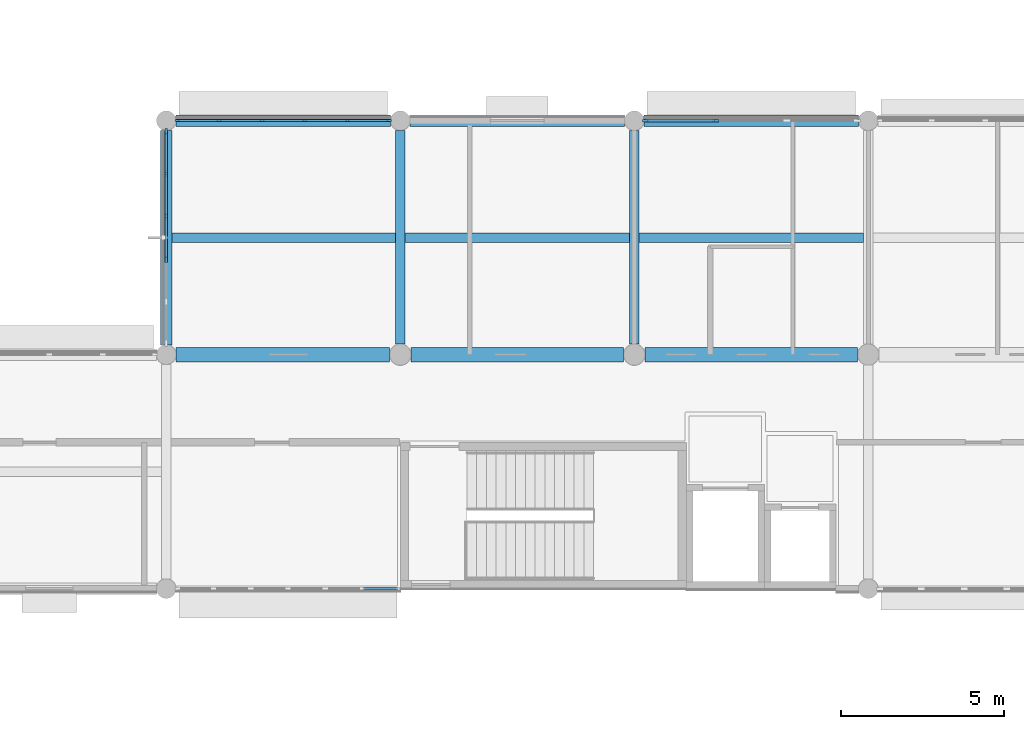
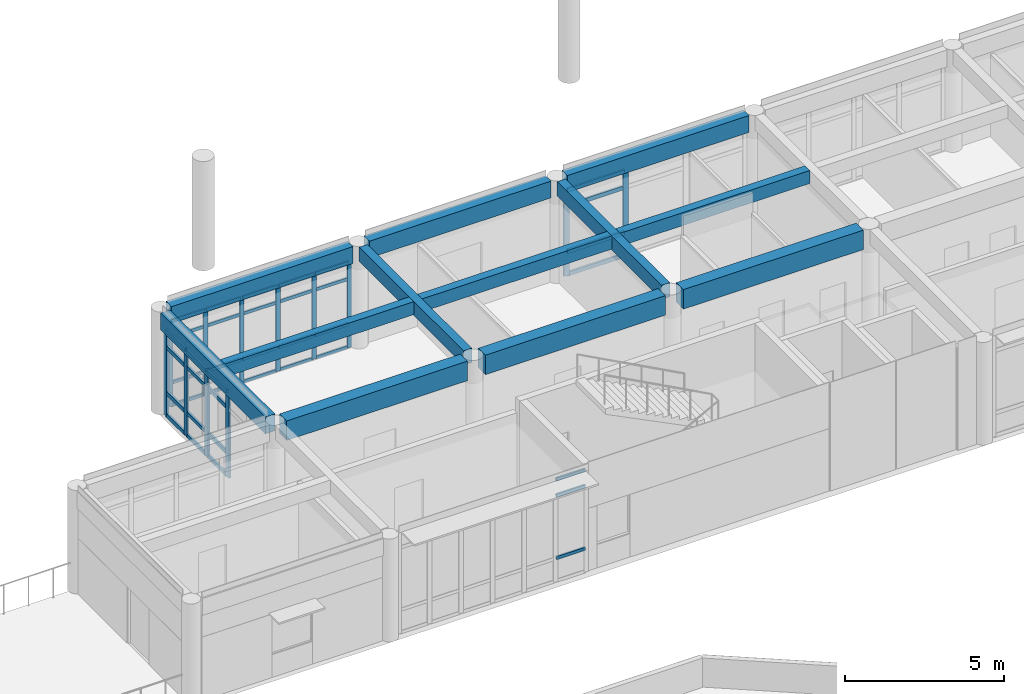
# One storey, part 9 of 55: 51 members, 12 beams, 4 elements without a shape of their own.
"""IFC4 building model written with IfcOpenShell, lengths in metres."""

import ifcopenshell
import ifcopenshell.guid

model = None  # the IFC model being written
_history = None  # IfcOwnerHistory: only IFC2X3 demands one
_inside = {}  # id of a spatial element -> (the spatial element, [elements in it])
_under = {}  # id of a project, library or spatial element -> (it, [spatial elements below it])
_declared = {}  # id of a project -> (the project, [libraries it declares])
_typed = {}  # id of a type object -> (the type object, [elements of that type])
_made_of = {}  # id of a material, layer set ... -> (it, [elements and type objects made of it])


def new_model(schema):
    """Start an empty IFC model of exactly this schema.

    Asked for "IFC4X3", IfcOpenShell would pick the latest addendum, in which some entities
    have other attributes; the version numbers below select the first issue.
    IFC2X3 requires an IfcOwnerHistory on every rooted entity: one is made here for all.
    """
    global model, _history
    if schema == "IFC4X3":
        model = ifcopenshell.file(schema_version=(4, 3, 0, 0))
    else:
        model = ifcopenshell.file(schema=schema)
    _inside.clear()
    _under.clear()
    _declared.clear()
    _typed.clear()
    _made_of.clear()
    _history = None
    if model.schema == "IFC2X3":
        org = make("IfcOrganization", Name="unknown")
        user = make(
            "IfcPersonAndOrganization",
            ThePerson=make("IfcPerson", FamilyName="unknown"),
            TheOrganization=org,
        )
        app = make(
            "IfcApplication",
            ApplicationDeveloper=org,
            Version="unknown",
            ApplicationFullName="unknown",
            ApplicationIdentifier="unknown",
        )
        _history = make(
            "IfcOwnerHistory",
            OwningUser=user,
            OwningApplication=app,
            ChangeAction="ADDED",
            CreationDate=0,
        )
    return model


def make(cls, **values):
    """One entity of the class cls with the attributes given. An attribute that is None is left unset."""
    return model.create_entity(
        cls, **{name: value for name, value in values.items() if value is not None}
    )


def rooted(cls, **values):
    """An entity with a GlobalId (a new one), such as an element, a storey or a relation."""
    return make(cls, GlobalId=ifcopenshell.guid.new(), OwnerHistory=_history, **values)


def si_unit(unit_type, name, prefix=None):
    """IfcSIUnit, for example si_unit("LENGTHUNIT", "METRE", prefix="MILLI")."""
    return make("IfcSIUnit", UnitType=unit_type, Prefix=prefix, Name=name)


def assignment(units):
    """IfcUnitAssignment: the units of a project."""
    return None if units is None else make("IfcUnitAssignment", Units=units)


def point(xyz):
    """IfcCartesianPoint."""
    return None if xyz is None else make("IfcCartesianPoint", Coordinates=xyz)


def direction(xyz):
    """IfcDirection."""
    return None if xyz is None else make("IfcDirection", DirectionRatios=xyz)


def frame(location, z_axis=None, x_axis=None):
    """IfcAxis2Placement3D, a coordinate frame: its origin and axes. An axis left out is left unset."""
    return make(
        "IfcAxis2Placement3D",
        Location=point(location),
        Axis=direction(z_axis),
        RefDirection=direction(x_axis),
    )


def frame_2d(location, x_axis=None):
    """IfcAxis2Placement2D, a coordinate frame in the plane: its origin and x axis."""
    return make(
        "IfcAxis2Placement2D", Location=point(location), RefDirection=direction(x_axis)
    )


def origin():
    """The frame at (0, 0, 0) with its axes left unset."""
    return frame((0.0, 0.0, 0.0))


def origin_2d():
    """The frame at (0, 0) in the plane with its x axis left unset."""
    return frame_2d((0.0, 0.0))


def place(relative_to, where):
    """IfcLocalPlacement: puts the frame where relative to a parent placement (None: the world)."""
    return make(
        "IfcLocalPlacement", PlacementRelTo=relative_to, RelativePlacement=where
    )


def context(
    kind, dimensions, precision=None, world=None, true_north=None, identifier=None
):
    """IfcGeometricRepresentationContext, for example the 3D "Model" context."""
    return make(
        "IfcGeometricRepresentationContext",
        ContextIdentifier=identifier,
        ContextType=kind,
        CoordinateSpaceDimension=dimensions,
        Precision=precision,
        WorldCoordinateSystem=world,
        TrueNorth=true_north,
    )


def subcontext(parent, identifier, kind, view, scale=None):
    """IfcGeometricRepresentationSubContext, for example "Body" below "Model"."""
    return make(
        "IfcGeometricRepresentationSubContext",
        ContextIdentifier=identifier,
        ContextType=kind,
        ParentContext=parent,
        TargetScale=scale,
        TargetView=view,
    )


def project(units=None, contexts=None):
    """IfcProject with its units and contexts."""
    return rooted(
        "IfcProject",
        Name="project",
        RepresentationContexts=contexts,
        UnitsInContext=assignment(units),
    )


def spatial(cls, under=None, at=None, **own):
    """A site, building, storey or space (cls), placed at a placement, below another one or the project."""
    s = rooted(cls, ObjectPlacement=at, **own)
    if under is not None:
        _under.setdefault(under.id(), (under, []))[1].append(s)
    return s


def profile(cls, at=None, kind="AREA", **sizes):
    """A parametric profile (cls). Its sizes go by their IFC names, for example OverallWidth=200.0."""
    return make(cls, ProfileType=kind, Position=at, **sizes)


def rectangle(**sizes):
    """IfcRectangleProfileDef."""
    return profile("IfcRectangleProfileDef", **sizes)


def extrude(swept, where, along, depth):
    """IfcExtrudedAreaSolid: the profile swept, set in the frame where, extruded along a direction by depth."""
    return make(
        "IfcExtrudedAreaSolid",
        SweptArea=swept,
        Position=where,
        ExtrudedDirection=direction(along),
        Depth=depth,
    )


def shape(context_of_items, identifier, shape_type, items):
    """IfcShapeRepresentation: the items that make up one representation, for example the "Body"."""
    return make(
        "IfcShapeRepresentation",
        ContextOfItems=context_of_items,
        RepresentationIdentifier=identifier,
        RepresentationType=shape_type,
        Items=items,
    )


def material(Name=None, Category=None):
    """IfcMaterial."""
    return make("IfcMaterial", Name=Name, Category=Category)


def layer(
    of_material, thickness, ventilated=None, Name=None, Category=None, Priority=None
):
    """IfcMaterialLayer: one layer of a wall or slab, of a material (None: an air gap)."""
    return make(
        "IfcMaterialLayer",
        Material=of_material,
        LayerThickness=thickness,
        IsVentilated=ventilated,
        Name=Name,
        Category=Category,
        Priority=Priority,
    )


def layer_set(layers, Name=None):
    """IfcMaterialLayerSet."""
    return make("IfcMaterialLayerSet", MaterialLayers=layers, LayerSetName=Name)


def material_profile(
    of_material, cross_section, Name=None, Category=None, Priority=None
):
    """IfcMaterialProfile: a cross section and its material."""
    return make(
        "IfcMaterialProfile",
        Name=Name,
        Material=of_material,
        Profile=cross_section,
        Priority=Priority,
        Category=Category,
    )


def profile_set(profiles, Name=None, composite=None):
    """IfcMaterialProfileSet."""
    return make(
        "IfcMaterialProfileSet",
        Name=Name,
        MaterialProfiles=profiles,
        CompositeProfile=composite,
    )


def made_of(thing, what):
    """Note that an element or type object is made of a material, layer set ...; save() writes the relation."""
    if what is not None:
        _made_of.setdefault(what.id(), (what, []))[1].append(thing)
    return thing


def type_object(cls, material=None, **own):
    """A type object (cls), such as IfcWallType, which elements share."""
    return made_of(rooted(cls, **own), material)


def element(
    cls,
    number,
    at=None,
    inside=None,
    cuts=None,
    type_object=None,
    material=None,
    context=None,
    identifier="Body",
    shape_type=None,
    held_by="IfcProductDefinitionShape",
    body=None,
    shapes=None,
    **own,
):
    """One element of the class cls, such as IfcWall. Its Tag is "e" and its number.

    at: its placement. inside: the storey or other place that contains it. cuts: it is an
    opening in that element (IfcRelVoidsElement). A single representation is given by context,
    identifier, shape_type and body (its items); several are given by shapes. held_by: the class
    of the entity that holds the representations. save() writes the other relations.
    """
    e = rooted(cls, Tag="e%d" % number, ObjectPlacement=at, **own)
    if body is not None:
        shapes = [shape(context, identifier, shape_type, body)]
    if shapes is not None:
        e.Representation = make(held_by, Representations=shapes)
    if inside is not None:
        _inside.setdefault(inside.id(), (inside, []))[1].append(e)
    if cuts is not None:
        rooted(
            "IfcRelVoidsElement", RelatingBuildingElement=cuts, RelatedOpeningElement=e
        )
    if type_object is not None:
        _typed.setdefault(type_object.id(), (type_object, []))[1].append(e)
    return made_of(e, material)


def aggregate(whole, parts):
    """IfcRelAggregates: a whole, such as a stair, and the parts it consists of."""
    return rooted("IfcRelAggregates", RelatingObject=whole, RelatedObjects=parts)


def save(model, path):
    """Write the relations noted so far, then the file.

    IfcRelAggregates (storeys below a building ...), IfcRelContainedInSpatialStructure (elements
    in a storey), IfcRelDefinesByType, IfcRelAssociatesMaterial and IfcRelDeclares: one each for
    every whole, place, type object, material and project.
    """
    for whole, parts in _under.values():
        aggregate(whole, parts)
    for where, things in _inside.values():
        rooted(
            "IfcRelContainedInSpatialStructure",
            RelatedElements=things,
            RelatingStructure=where,
        )
    for kind, things in _typed.values():
        rooted("IfcRelDefinesByType", RelatedObjects=things, RelatingType=kind)
    for what, things in _made_of.values():
        rooted("IfcRelAssociatesMaterial", RelatedObjects=things, RelatingMaterial=what)
    for by, libraries in _declared.values():
        rooted("IfcRelDeclares", RelatingContext=by, RelatedDefinitions=libraries)
    model.write(path)


model = new_model("IFC4")

# Units and contexts
model_context = context("Model", 3, precision=1e-05, world=origin(), true_north=direction((0.0, 1.0)))
body_context = subcontext(model_context, "Body", "Model", "MODEL_VIEW")
ifc_project = project(units=[si_unit("LENGTHUNIT", "METRE"), si_unit("AREAUNIT", "SQUARE_METRE"), si_unit("VOLUMEUNIT", "CUBIC_METRE"), si_unit("PLANEANGLEUNIT", "RADIAN"), si_unit("MASSUNIT", "GRAM", prefix="KILO")], contexts=[model_context])

# Site, building, storey
site_placement = place(None, origin())
site = spatial("IfcSite", under=ifc_project, at=site_placement, CompositionType="ELEMENT")
building_placement = place(site_placement, origin())
building = spatial("IfcBuilding", under=site, at=building_placement, Name="Namkhue Oval Health Centre", CompositionType="ELEMENT")
storey_placement = place(building_placement, frame((0.0, 0.0, 9.60009765625)))
storey = spatial("IfcBuildingStorey", under=building, at=storey_placement, Name="L02", CompositionType="ELEMENT", Elevation=9.60009765625)

# Curtain wall, members
ifc_material_1 = material(Name="Anodised aluminium EN AW-6063 T6", Category="aluminium")
ifc_layer_1 = layer(ifc_material_1, 0.159912109375)
ifc_layer_set_1 = layer_set([ifc_layer_1], Name="Anodised aluminium EN AW-6063 T6")
curtain_wall_type_1 = type_object("IfcCurtainWallType", Name="UNITISED CURTAIN WALL M1200", PredefinedType="NOTDEFINED", material=ifc_layer_set_1)
curtain_wall_1_placement = place(storey_placement, origin())
curtain_wall_1 = element("IfcCurtainWall", 1, at=curtain_wall_1_placement, inside=storey, type_object=curtain_wall_type_1, Name="Volume V2 L02 Unitised Curtain Wall 67", PredefinedType="NOTDEFINED")
ifc_material_profile_1 = material_profile(ifc_material_1, rectangle(XDim=0.06494140625, YDim=0.159912109375, at=origin_2d()), Name="ALU 65x160")
ifc_profile_set_1 = profile_set([ifc_material_profile_1], Name="Anodised aluminium EN AW-6063 T6")
member_type_1 = type_object("IfcMemberType", Name="CURTAIN WALL MULLION 65X160", PredefinedType="MULLION", material=ifc_profile_set_1)
member_1_placement = place(storey_placement, frame((57.257568359375, 104.39990234375, 0.0), z_axis=(0.0, 0.0, 1.0), x_axis=(0.0, -1.0, 0.0)))
member_1 = element("IfcMember", 2, at=member_1_placement, type_object=member_type_1, Name="CW-01 mullion 1", PredefinedType="MULLION", context=body_context, shape_type="SweptSolid", body=[
    extrude(rectangle(XDim=0.06494140625, YDim=0.159912109375, at=origin_2d()), origin(), (0.0, 0.0, 1.0), 3.2998046875),
])
member_2_placement = place(storey_placement, frame((55.97412109375, 104.39990234375, 0.0), z_axis=(0.0, 0.0, 1.0), x_axis=(0.0, -1.0, 0.0)))
member_2 = element("IfcMember", 3, at=member_2_placement, type_object=member_type_1, Name="CW-01 mullion 2", PredefinedType="MULLION", context=body_context, shape_type="SweptSolid", body=[
    extrude(rectangle(XDim=0.06494140625, YDim=0.159912109375, at=origin_2d()), origin(), (0.0, 0.0, 1.0), 3.2998046875),
])
member_3_placement = place(storey_placement, frame((54.657958984375, 104.39990234375, 0.0), z_axis=(0.0, 0.0, 1.0), x_axis=(0.0, -1.0, 0.0)))
member_3 = element("IfcMember", 4, at=member_3_placement, type_object=member_type_1, Name="CW-01 mullion 3", PredefinedType="MULLION", context=body_context, shape_type="SweptSolid", body=[
    extrude(rectangle(XDim=0.06494140625, YDim=0.159912109375, at=origin_2d()), origin(), (0.0, 0.0, 1.0), 3.2998046875),
])
member_4_placement = place(storey_placement, frame((53.342041015625, 104.39990234375, 0.0), z_axis=(0.0, 0.0, 1.0), x_axis=(0.0, -1.0, 0.0)))
member_4 = element("IfcMember", 5, at=member_4_placement, type_object=member_type_1, Name="CW-01 mullion 4", PredefinedType="MULLION", context=body_context, shape_type="SweptSolid", body=[
    extrude(rectangle(XDim=0.06494140625, YDim=0.159912109375, at=origin_2d()), origin(), (0.0, 0.0, 1.0), 3.2998046875),
])
member_5_placement = place(storey_placement, frame((52.02587890625, 104.39990234375, 0.0), z_axis=(0.0, 0.0, 1.0), x_axis=(0.0, -1.0, 0.0)))
member_5 = element("IfcMember", 6, at=member_5_placement, type_object=member_type_1, Name="CW-01 mullion 5", PredefinedType="MULLION", context=body_context, shape_type="SweptSolid", body=[
    extrude(rectangle(XDim=0.06494140625, YDim=0.159912109375, at=origin_2d()), origin(), (0.0, 0.0, 1.0), 3.2998046875),
])
member_6_placement = place(storey_placement, frame((50.742431640625, 104.39990234375, 0.0), z_axis=(0.0, 0.0, 1.0), x_axis=(0.0, -1.0, 0.0)))
member_6 = element("IfcMember", 7, at=member_6_placement, type_object=member_type_1, Name="CW-01 mullion 6", PredefinedType="MULLION", context=body_context, shape_type="SweptSolid", body=[
    extrude(rectangle(XDim=0.06494140625, YDim=0.159912109375, at=origin_2d()), origin(), (0.0, 0.0, 1.0), 3.2998046875),
])

ifc_layer_2 = layer(ifc_material_1, 0.159912109375)
ifc_layer_set_2 = layer_set([ifc_layer_2], Name="Anodised aluminium EN AW-6063 T6")
curtain_wall_type_2 = type_object("IfcCurtainWallType", Name="UNITISED CURTAIN WALL M2000", PredefinedType="NOTDEFINED", material=ifc_layer_set_2)
curtain_wall_2_placement = place(storey_placement, origin())
curtain_wall_2 = element("IfcCurtainWall", 8, at=curtain_wall_2_placement, inside=storey, type_object=curtain_wall_type_2, Name="Volume V2 L02 Unitised Curtain Wall 66", PredefinedType="NOTDEFINED")
ifc_material_profile_2 = material_profile(ifc_material_1, rectangle(XDim=0.074951171875, YDim=0.199951171875, at=origin_2d()), Name="ALU 75x200")
ifc_profile_set_2 = profile_set([ifc_material_profile_2], Name="Anodised aluminium EN AW-6063 T6")
member_type_2 = type_object("IfcMemberType", Name="CURTAIN WALL MULLION 75X200", PredefinedType="MULLION", material=ifc_profile_set_2)
member_7_placement = place(storey_placement, frame((67.30322265625, 104.39990234375, 0.0), z_axis=(0.0, 0.0, 1.0), x_axis=(0.0, -1.0, 0.0)))
member_7 = element("IfcMember", 9, at=member_7_placement, type_object=member_type_2, Name="CW-06 mullion 3", PredefinedType="MULLION", context=body_context, shape_type="SweptSolid", body=[
    extrude(rectangle(XDim=0.074951171875, YDim=0.199951171875, at=origin_2d()), origin(), (0.0, 0.0, 1.0), 3.2998046875),
])
member_8_placement = place(storey_placement, frame((65.1474609375, 104.39990234375, 0.0), z_axis=(0.0, 0.0, 1.0), x_axis=(0.0, -1.0, 0.0)))
member_8 = element("IfcMember", 10, at=member_8_placement, type_object=member_type_2, Name="CW-06 mullion 4", PredefinedType="MULLION", context=body_context, shape_type="SweptSolid", body=[
    extrude(rectangle(XDim=0.074951171875, YDim=0.199951171875, at=origin_2d()), origin(), (0.0, 0.0, 1.0), 3.2998046875),
])

ifc_layer_3 = layer(ifc_material_1, 0.159912109375)
ifc_layer_set_3 = layer_set([ifc_layer_3], Name="Anodised aluminium EN AW-6063 T6")
curtain_wall_type_3 = type_object("IfcCurtainWallType", Name="UNITISED CURTAIN WALL M1350", PredefinedType="NOTDEFINED", material=ifc_layer_set_3)
curtain_wall_3_placement = place(storey_placement, origin())
curtain_wall_3 = element("IfcCurtainWall", 11, at=curtain_wall_3_placement, inside=storey, type_object=curtain_wall_type_3, Name="Volume V2 L02 Unitised Curtain Wall 68", PredefinedType="NOTDEFINED")
member_9_placement = place(storey_placement, frame((50.39990234375, 104.052490234375, 0.0), z_axis=(0.0, 0.0, 1.0), x_axis=(1.0, 0.0, 0.0)))
member_9 = element("IfcMember", 12, at=member_9_placement, type_object=member_type_2, Name="CW-02 mullion 1", PredefinedType="MULLION", context=body_context, shape_type="SweptSolid", body=[
    extrude(rectangle(XDim=0.074951171875, YDim=0.199951171875, at=origin_2d()), origin(), (0.0, 0.0, 1.0), 3.2998046875),
])
member_10_placement = place(storey_placement, frame((50.39990234375, 102.77392578125, 0.0), z_axis=(0.0, 0.0, 1.0), x_axis=(1.0, 0.0, 0.0)))
member_10 = element("IfcMember", 13, at=member_10_placement, type_object=member_type_2, Name="CW-02 mullion 2", PredefinedType="MULLION", context=body_context, shape_type="SweptSolid", body=[
    extrude(rectangle(XDim=0.074951171875, YDim=0.199951171875, at=origin_2d()), origin(), (0.0, 0.0, 1.0), 3.2998046875),
])
member_11_placement = place(storey_placement, frame((50.39990234375, 101.4580078125, 0.0), z_axis=(0.0, 0.0, 1.0), x_axis=(1.0, 0.0, 0.0)))
member_11 = element("IfcMember", 14, at=member_11_placement, type_object=member_type_2, Name="CW-02 mullion 3", PredefinedType="MULLION", context=body_context, shape_type="SweptSolid", body=[
    extrude(rectangle(XDim=0.074951171875, YDim=0.199951171875, at=origin_2d()), origin(), (0.0, 0.0, 1.0), 3.2998046875),
])
member_12_placement = place(storey_placement, frame((50.39990234375, 100.14208984375, 0.0), z_axis=(0.0, 0.0, 1.0), x_axis=(1.0, 0.0, 0.0)))
member_12 = element("IfcMember", 15, at=member_12_placement, type_object=member_type_2, Name="CW-02 mullion 4", PredefinedType="MULLION", context=body_context, shape_type="SweptSolid", body=[
    extrude(rectangle(XDim=0.074951171875, YDim=0.199951171875, at=origin_2d()), origin(), (0.0, 0.0, 1.0), 3.2998046875),
])

curtain_wall_4_placement = place(storey_placement, origin())
curtain_wall_4 = element("IfcCurtainWall", 16, at=curtain_wall_4_placement, inside=storey, type_object=curtain_wall_type_1, Name="Volume V2 L02 Unitised Curtain Wall 61", PredefinedType="NOTDEFINED")
ifc_material_profile_3 = material_profile(ifc_material_1, rectangle(XDim=0.06494140625, YDim=0.1201171875, at=origin_2d()), Name="ALU 65x120")
ifc_profile_set_3 = profile_set([ifc_material_profile_3], Name="Anodised aluminium EN AW-6063 T6")
member_type_3 = type_object("IfcMemberType", Name="CURTAIN WALL TRANSOM 65X120", PredefinedType="USERDEFINED", material=ifc_profile_set_3)
member_13_placement = place(storey_placement, frame((56.469970703125, 90.0, 0.89990234375), z_axis=(1.0, 0.0, 0.0), x_axis=(0.0, 1.0, 0.0)))
member_13 = element("IfcMember", 17, at=member_13_placement, type_object=member_type_3, Name="CW-01 transom 6.2", ObjectType="TRANSOM", PredefinedType="USERDEFINED", context=body_context, shape_type="SweptSolid", body=[
    extrude(rectangle(XDim=0.06494140625, YDim=0.1201171875, at=origin_2d()), origin(), (0.0, 0.0, 1.0), 1.048095703125),
])
member_14_placement = place(storey_placement, frame((56.469970703125, 90.0, 3.2998046875), z_axis=(1.0, 0.0, 0.0), x_axis=(0.0, 1.0, 0.0)))
member_14 = element("IfcMember", 18, at=member_14_placement, type_object=member_type_3, Name="CW-01 transom 6.3", ObjectType="TRANSOM", PredefinedType="USERDEFINED", context=body_context, shape_type="SweptSolid", body=[
    extrude(rectangle(XDim=0.06494140625, YDim=0.1201171875, at=origin_2d()), origin(), (0.0, 0.0, 1.0), 1.048095703125),
])
member_15_placement = place(storey_placement, frame((56.469970703125, 90.0, 3.91748046875), z_axis=(1.0, 0.0, 0.0), x_axis=(0.0, 1.0, 0.0)))
member_15 = element("IfcMember", 19, at=member_15_placement, type_object=member_type_3, Name="CW-01 transom 6.4", ObjectType="TRANSOM", PredefinedType="USERDEFINED", context=body_context, shape_type="SweptSolid", body=[
    extrude(rectangle(XDim=0.06494140625, YDim=0.1201171875, at=origin_2d()), origin(), (0.0, 0.0, 1.0), 1.048095703125),
])
aggregate(curtain_wall_4, [member_13, member_14, member_15])

# Member
member_16_placement = place(storey_placement, frame((57.22509765625, 104.39990234375, 0.032470703125), z_axis=(-1.0, 0.0, 0.0), x_axis=(0.0, -1.0, 0.0)))
member_16 = element("IfcMember", 20, at=member_16_placement, type_object=member_type_3, Name="CW-01 transom 1.1", ObjectType="TRANSOM", PredefinedType="USERDEFINED", context=body_context, shape_type="SweptSolid", body=[
    extrude(rectangle(XDim=0.06494140625, YDim=0.1201171875, at=origin_2d()), origin(), (0.0, 0.0, 1.0), 1.218505859375),
])

member_17_placement = place(storey_placement, frame((57.22509765625, 104.39990234375, 0.89990234375), z_axis=(-1.0, 0.0, 0.0), x_axis=(0.0, -1.0, 0.0)))
member_17 = element("IfcMember", 21, at=member_17_placement, type_object=member_type_3, Name="CW-01 transom 1.2", ObjectType="TRANSOM", PredefinedType="USERDEFINED", context=body_context, shape_type="SweptSolid", body=[
    extrude(rectangle(XDim=0.06494140625, YDim=0.1201171875, at=origin_2d()), origin(), (0.0, 0.0, 1.0), 1.218505859375),
])

member_18_placement = place(storey_placement, frame((57.22509765625, 104.39990234375, 2.64990234375), z_axis=(-1.0, 0.0, 0.0), x_axis=(0.0, -1.0, 0.0)))
member_18 = element("IfcMember", 22, at=member_18_placement, type_object=member_type_3, Name="CW-01 transom 1.3", ObjectType="TRANSOM", PredefinedType="USERDEFINED", context=body_context, shape_type="SweptSolid", body=[
    extrude(rectangle(XDim=0.06494140625, YDim=0.1201171875, at=origin_2d()), origin(), (0.0, 0.0, 1.0), 1.218505859375),
])

member_19_placement = place(storey_placement, frame((57.22509765625, 104.39990234375, 3.267333984375), z_axis=(-1.0, 0.0, 0.0), x_axis=(0.0, -1.0, 0.0)))
member_19 = element("IfcMember", 23, at=member_19_placement, type_object=member_type_3, Name="CW-01 transom 1.4", ObjectType="TRANSOM", PredefinedType="USERDEFINED", context=body_context, shape_type="SweptSolid", body=[
    extrude(rectangle(XDim=0.06494140625, YDim=0.1201171875, at=origin_2d()), origin(), (0.0, 0.0, 1.0), 1.218505859375),
])

member_20_placement = place(storey_placement, frame((55.94140625, 104.39990234375, 0.032470703125), z_axis=(-1.0, 0.0, 0.0), x_axis=(0.0, -1.0, 0.0)))
member_20 = element("IfcMember", 24, at=member_20_placement, type_object=member_type_3, Name="CW-01 transom 2.1", ObjectType="TRANSOM", PredefinedType="USERDEFINED", context=body_context, shape_type="SweptSolid", body=[
    extrude(rectangle(XDim=0.06494140625, YDim=0.1201171875, at=origin_2d()), origin(), (0.0, 0.0, 1.0), 1.2509765625),
])

member_21_placement = place(storey_placement, frame((55.94140625, 104.39990234375, 0.89990234375), z_axis=(-1.0, 0.0, 0.0), x_axis=(0.0, -1.0, 0.0)))
member_21 = element("IfcMember", 25, at=member_21_placement, type_object=member_type_3, Name="CW-01 transom 2.2", ObjectType="TRANSOM", PredefinedType="USERDEFINED", context=body_context, shape_type="SweptSolid", body=[
    extrude(rectangle(XDim=0.06494140625, YDim=0.1201171875, at=origin_2d()), origin(), (0.0, 0.0, 1.0), 1.2509765625),
])

member_22_placement = place(storey_placement, frame((55.94140625, 104.39990234375, 2.64990234375), z_axis=(-1.0, 0.0, 0.0), x_axis=(0.0, -1.0, 0.0)))
member_22 = element("IfcMember", 26, at=member_22_placement, type_object=member_type_3, Name="CW-01 transom 2.3", ObjectType="TRANSOM", PredefinedType="USERDEFINED", context=body_context, shape_type="SweptSolid", body=[
    extrude(rectangle(XDim=0.06494140625, YDim=0.1201171875, at=origin_2d()), origin(), (0.0, 0.0, 1.0), 1.2509765625),
])

member_23_placement = place(storey_placement, frame((55.94140625, 104.39990234375, 3.267333984375), z_axis=(-1.0, 0.0, 0.0), x_axis=(0.0, -1.0, 0.0)))
member_23 = element("IfcMember", 27, at=member_23_placement, type_object=member_type_3, Name="CW-01 transom 2.4", ObjectType="TRANSOM", PredefinedType="USERDEFINED", context=body_context, shape_type="SweptSolid", body=[
    extrude(rectangle(XDim=0.06494140625, YDim=0.1201171875, at=origin_2d()), origin(), (0.0, 0.0, 1.0), 1.2509765625),
])

member_24_placement = place(storey_placement, frame((54.62548828125, 104.39990234375, 0.032470703125), z_axis=(-1.0, 0.0, 0.0), x_axis=(0.0, -1.0, 0.0)))
member_24 = element("IfcMember", 28, at=member_24_placement, type_object=member_type_3, Name="CW-01 transom 3.1", ObjectType="TRANSOM", PredefinedType="USERDEFINED", context=body_context, shape_type="SweptSolid", body=[
    extrude(rectangle(XDim=0.06494140625, YDim=0.1201171875, at=origin_2d()), origin(), (0.0, 0.0, 1.0), 1.2509765625),
])

member_25_placement = place(storey_placement, frame((54.62548828125, 104.39990234375, 0.89990234375), z_axis=(-1.0, 0.0, 0.0), x_axis=(0.0, -1.0, 0.0)))
member_25 = element("IfcMember", 29, at=member_25_placement, type_object=member_type_3, Name="CW-01 transom 3.2", ObjectType="TRANSOM", PredefinedType="USERDEFINED", context=body_context, shape_type="SweptSolid", body=[
    extrude(rectangle(XDim=0.06494140625, YDim=0.1201171875, at=origin_2d()), origin(), (0.0, 0.0, 1.0), 1.2509765625),
])

member_26_placement = place(storey_placement, frame((54.62548828125, 104.39990234375, 2.64990234375), z_axis=(-1.0, 0.0, 0.0), x_axis=(0.0, -1.0, 0.0)))
member_26 = element("IfcMember", 30, at=member_26_placement, type_object=member_type_3, Name="CW-01 transom 3.3", ObjectType="TRANSOM", PredefinedType="USERDEFINED", context=body_context, shape_type="SweptSolid", body=[
    extrude(rectangle(XDim=0.06494140625, YDim=0.1201171875, at=origin_2d()), origin(), (0.0, 0.0, 1.0), 1.2509765625),
])

member_27_placement = place(storey_placement, frame((54.62548828125, 104.39990234375, 3.267333984375), z_axis=(-1.0, 0.0, 0.0), x_axis=(0.0, -1.0, 0.0)))
member_27 = element("IfcMember", 31, at=member_27_placement, type_object=member_type_3, Name="CW-01 transom 3.4", ObjectType="TRANSOM", PredefinedType="USERDEFINED", context=body_context, shape_type="SweptSolid", body=[
    extrude(rectangle(XDim=0.06494140625, YDim=0.1201171875, at=origin_2d()), origin(), (0.0, 0.0, 1.0), 1.2509765625),
])

member_28_placement = place(storey_placement, frame((53.3095703125, 104.39990234375, 0.032470703125), z_axis=(-1.0, 0.0, 0.0), x_axis=(0.0, -1.0, 0.0)))
member_28 = element("IfcMember", 32, at=member_28_placement, type_object=member_type_3, Name="CW-01 transom 4.1", ObjectType="TRANSOM", PredefinedType="USERDEFINED", context=body_context, shape_type="SweptSolid", body=[
    extrude(rectangle(XDim=0.06494140625, YDim=0.1201171875, at=origin_2d()), origin(), (0.0, 0.0, 1.0), 1.2509765625),
])

member_29_placement = place(storey_placement, frame((53.3095703125, 104.39990234375, 0.89990234375), z_axis=(-1.0, 0.0, 0.0), x_axis=(0.0, -1.0, 0.0)))
member_29 = element("IfcMember", 33, at=member_29_placement, type_object=member_type_3, Name="CW-01 transom 4.2", ObjectType="TRANSOM", PredefinedType="USERDEFINED", context=body_context, shape_type="SweptSolid", body=[
    extrude(rectangle(XDim=0.06494140625, YDim=0.1201171875, at=origin_2d()), origin(), (0.0, 0.0, 1.0), 1.2509765625),
])

member_30_placement = place(storey_placement, frame((53.3095703125, 104.39990234375, 2.64990234375), z_axis=(-1.0, 0.0, 0.0), x_axis=(0.0, -1.0, 0.0)))
member_30 = element("IfcMember", 34, at=member_30_placement, type_object=member_type_3, Name="CW-01 transom 4.3", ObjectType="TRANSOM", PredefinedType="USERDEFINED", context=body_context, shape_type="SweptSolid", body=[
    extrude(rectangle(XDim=0.06494140625, YDim=0.1201171875, at=origin_2d()), origin(), (0.0, 0.0, 1.0), 1.2509765625),
])

member_31_placement = place(storey_placement, frame((53.3095703125, 104.39990234375, 3.267333984375), z_axis=(-1.0, 0.0, 0.0), x_axis=(0.0, -1.0, 0.0)))
member_31 = element("IfcMember", 35, at=member_31_placement, type_object=member_type_3, Name="CW-01 transom 4.4", ObjectType="TRANSOM", PredefinedType="USERDEFINED", context=body_context, shape_type="SweptSolid", body=[
    extrude(rectangle(XDim=0.06494140625, YDim=0.1201171875, at=origin_2d()), origin(), (0.0, 0.0, 1.0), 1.2509765625),
])

member_32_placement = place(storey_placement, frame((51.993408203125, 104.39990234375, 0.032470703125), z_axis=(-1.0, 0.0, 0.0), x_axis=(0.0, -1.0, 0.0)))
member_32 = element("IfcMember", 36, at=member_32_placement, type_object=member_type_3, Name="CW-01 transom 5.1", ObjectType="TRANSOM", PredefinedType="USERDEFINED", context=body_context, shape_type="SweptSolid", body=[
    extrude(rectangle(XDim=0.06494140625, YDim=0.1201171875, at=origin_2d()), origin(), (0.0, 0.0, 1.0), 1.218505859375),
])

member_33_placement = place(storey_placement, frame((51.993408203125, 104.39990234375, 0.89990234375), z_axis=(-1.0, 0.0, 0.0), x_axis=(0.0, -1.0, 0.0)))
member_33 = element("IfcMember", 37, at=member_33_placement, type_object=member_type_3, Name="CW-01 transom 5.2", ObjectType="TRANSOM", PredefinedType="USERDEFINED", context=body_context, shape_type="SweptSolid", body=[
    extrude(rectangle(XDim=0.06494140625, YDim=0.1201171875, at=origin_2d()), origin(), (0.0, 0.0, 1.0), 1.218505859375),
])

member_34_placement = place(storey_placement, frame((51.993408203125, 104.39990234375, 2.64990234375), z_axis=(-1.0, 0.0, 0.0), x_axis=(0.0, -1.0, 0.0)))
member_34 = element("IfcMember", 38, at=member_34_placement, type_object=member_type_3, Name="CW-01 transom 5.3", ObjectType="TRANSOM", PredefinedType="USERDEFINED", context=body_context, shape_type="SweptSolid", body=[
    extrude(rectangle(XDim=0.06494140625, YDim=0.1201171875, at=origin_2d()), origin(), (0.0, 0.0, 1.0), 1.218505859375),
])

member_35_placement = place(storey_placement, frame((51.993408203125, 104.39990234375, 3.267333984375), z_axis=(-1.0, 0.0, 0.0), x_axis=(0.0, -1.0, 0.0)))
member_35 = element("IfcMember", 39, at=member_35_placement, type_object=member_type_3, Name="CW-01 transom 5.4", ObjectType="TRANSOM", PredefinedType="USERDEFINED", context=body_context, shape_type="SweptSolid", body=[
    extrude(rectangle(XDim=0.06494140625, YDim=0.1201171875, at=origin_2d()), origin(), (0.0, 0.0, 1.0), 1.218505859375),
])

aggregate(curtain_wall_1, [member_1, member_2, member_3, member_4, member_5, member_6, member_16, member_17, member_18, member_19, member_20, member_21, member_22, member_23, member_24, member_25, member_26, member_27, member_28, member_29, member_30, member_31, member_32, member_33, member_34, member_35])

ifc_material_profile_4 = material_profile(ifc_material_1, rectangle(XDim=0.074951171875, YDim=0.14990234375, at=origin_2d()), Name="ALU 75x150")
ifc_profile_set_4 = profile_set([ifc_material_profile_4], Name="Anodised aluminium EN AW-6063 T6")
member_type_4 = type_object("IfcMemberType", Name="CURTAIN WALL TRANSOM 75X150", PredefinedType="USERDEFINED", material=ifc_profile_set_4)
member_36_placement = place(storey_placement, frame((67.265869140625, 104.39990234375, 0.037353515625), z_axis=(-1.0, 0.0, 0.0), x_axis=(0.0, -1.0, 0.0)))
member_36 = element("IfcMember", 40, at=member_36_placement, type_object=member_type_4, Name="CW-06 transom 3.1", ObjectType="TRANSOM", PredefinedType="USERDEFINED", context=body_context, shape_type="SweptSolid", body=[
    extrude(rectangle(XDim=0.074951171875, YDim=0.14990234375, at=origin_2d()), origin(), (0.0, 0.0, 1.0), 2.080810546875),
])

member_37_placement = place(storey_placement, frame((67.265869140625, 104.39990234375, 0.89990234375), z_axis=(-1.0, 0.0, 0.0), x_axis=(0.0, -1.0, 0.0)))
member_37 = element("IfcMember", 41, at=member_37_placement, type_object=member_type_4, Name="CW-06 transom 3.2", ObjectType="TRANSOM", PredefinedType="USERDEFINED", context=body_context, shape_type="SweptSolid", body=[
    extrude(rectangle(XDim=0.074951171875, YDim=0.14990234375, at=origin_2d()), origin(), (0.0, 0.0, 1.0), 2.080810546875),
])

member_38_placement = place(storey_placement, frame((67.265869140625, 104.39990234375, 2.64990234375), z_axis=(-1.0, 0.0, 0.0), x_axis=(0.0, -1.0, 0.0)))
member_38 = element("IfcMember", 42, at=member_38_placement, type_object=member_type_4, Name="CW-06 transom 3.3", ObjectType="TRANSOM", PredefinedType="USERDEFINED", context=body_context, shape_type="SweptSolid", body=[
    extrude(rectangle(XDim=0.074951171875, YDim=0.14990234375, at=origin_2d()), origin(), (0.0, 0.0, 1.0), 2.080810546875),
])

member_39_placement = place(storey_placement, frame((67.265869140625, 104.39990234375, 3.262451171875), z_axis=(-1.0, 0.0, 0.0), x_axis=(0.0, -1.0, 0.0)))
member_39 = element("IfcMember", 43, at=member_39_placement, type_object=member_type_4, Name="CW-06 transom 3.4", ObjectType="TRANSOM", PredefinedType="USERDEFINED", context=body_context, shape_type="SweptSolid", body=[
    extrude(rectangle(XDim=0.074951171875, YDim=0.14990234375, at=origin_2d()), origin(), (0.0, 0.0, 1.0), 2.080810546875),
])

aggregate(curtain_wall_2, [member_7, member_8, member_36, member_37, member_38, member_39])

member_40_placement = place(storey_placement, frame((50.39990234375, 104.014892578125, 0.037353515625), z_axis=(0.0, -1.0, 0.0), x_axis=(1.0, 0.0, 0.0)))
member_40 = element("IfcMember", 44, at=member_40_placement, type_object=member_type_4, Name="CW-02 transom 1.1", ObjectType="TRANSOM", PredefinedType="USERDEFINED", context=body_context, shape_type="SweptSolid", body=[
    extrude(rectangle(XDim=0.074951171875, YDim=0.14990234375, at=origin_2d()), origin(), (0.0, 0.0, 1.0), 1.203369140625),
])

member_41_placement = place(storey_placement, frame((50.39990234375, 104.014892578125, 0.89990234375), z_axis=(0.0, -1.0, 0.0), x_axis=(1.0, 0.0, 0.0)))
member_41 = element("IfcMember", 45, at=member_41_placement, type_object=member_type_4, Name="CW-02 transom 1.2", ObjectType="TRANSOM", PredefinedType="USERDEFINED", context=body_context, shape_type="SweptSolid", body=[
    extrude(rectangle(XDim=0.074951171875, YDim=0.14990234375, at=origin_2d()), origin(), (0.0, 0.0, 1.0), 1.203369140625),
])

member_42_placement = place(storey_placement, frame((50.39990234375, 104.014892578125, 2.64990234375), z_axis=(0.0, -1.0, 0.0), x_axis=(1.0, 0.0, 0.0)))
member_42 = element("IfcMember", 46, at=member_42_placement, type_object=member_type_4, Name="CW-02 transom 1.3", ObjectType="TRANSOM", PredefinedType="USERDEFINED", context=body_context, shape_type="SweptSolid", body=[
    extrude(rectangle(XDim=0.074951171875, YDim=0.14990234375, at=origin_2d()), origin(), (0.0, 0.0, 1.0), 1.203369140625),
])

member_43_placement = place(storey_placement, frame((50.39990234375, 104.014892578125, 3.262451171875), z_axis=(0.0, -1.0, 0.0), x_axis=(1.0, 0.0, 0.0)))
member_43 = element("IfcMember", 47, at=member_43_placement, type_object=member_type_4, Name="CW-02 transom 1.4", ObjectType="TRANSOM", PredefinedType="USERDEFINED", context=body_context, shape_type="SweptSolid", body=[
    extrude(rectangle(XDim=0.074951171875, YDim=0.14990234375, at=origin_2d()), origin(), (0.0, 0.0, 1.0), 1.203369140625),
])

member_44_placement = place(storey_placement, frame((50.39990234375, 102.736572265625, 0.037353515625), z_axis=(0.0, -1.0, 0.0), x_axis=(1.0, 0.0, 0.0)))
member_44 = element("IfcMember", 48, at=member_44_placement, type_object=member_type_4, Name="CW-02 transom 2.1", ObjectType="TRANSOM", PredefinedType="USERDEFINED", context=body_context, shape_type="SweptSolid", body=[
    extrude(rectangle(XDim=0.074951171875, YDim=0.14990234375, at=origin_2d()), origin(), (0.0, 0.0, 1.0), 1.240966796875),
])

member_45_placement = place(storey_placement, frame((50.39990234375, 102.736572265625, 0.89990234375), z_axis=(0.0, -1.0, 0.0), x_axis=(1.0, 0.0, 0.0)))
member_45 = element("IfcMember", 49, at=member_45_placement, type_object=member_type_4, Name="CW-02 transom 2.2", ObjectType="TRANSOM", PredefinedType="USERDEFINED", context=body_context, shape_type="SweptSolid", body=[
    extrude(rectangle(XDim=0.074951171875, YDim=0.14990234375, at=origin_2d()), origin(), (0.0, 0.0, 1.0), 1.240966796875),
])

member_46_placement = place(storey_placement, frame((50.39990234375, 102.736572265625, 2.64990234375), z_axis=(0.0, -1.0, 0.0), x_axis=(1.0, 0.0, 0.0)))
member_46 = element("IfcMember", 50, at=member_46_placement, type_object=member_type_4, Name="CW-02 transom 2.3", ObjectType="TRANSOM", PredefinedType="USERDEFINED", context=body_context, shape_type="SweptSolid", body=[
    extrude(rectangle(XDim=0.074951171875, YDim=0.14990234375, at=origin_2d()), origin(), (0.0, 0.0, 1.0), 1.240966796875),
])

member_47_placement = place(storey_placement, frame((50.39990234375, 102.736572265625, 3.262451171875), z_axis=(0.0, -1.0, 0.0), x_axis=(1.0, 0.0, 0.0)))
member_47 = element("IfcMember", 51, at=member_47_placement, type_object=member_type_4, Name="CW-02 transom 2.4", ObjectType="TRANSOM", PredefinedType="USERDEFINED", context=body_context, shape_type="SweptSolid", body=[
    extrude(rectangle(XDim=0.074951171875, YDim=0.14990234375, at=origin_2d()), origin(), (0.0, 0.0, 1.0), 1.240966796875),
])

member_48_placement = place(storey_placement, frame((50.39990234375, 101.42041015625, 0.037353515625), z_axis=(0.0, -1.0, 0.0), x_axis=(1.0, 0.0, 0.0)))
member_48 = element("IfcMember", 52, at=member_48_placement, type_object=member_type_4, Name="CW-02 transom 3.1", ObjectType="TRANSOM", PredefinedType="USERDEFINED", context=body_context, shape_type="SweptSolid", body=[
    extrude(rectangle(XDim=0.074951171875, YDim=0.14990234375, at=origin_2d()), origin(), (0.0, 0.0, 1.0), 1.240966796875),
])

member_49_placement = place(storey_placement, frame((50.39990234375, 101.42041015625, 0.89990234375), z_axis=(0.0, -1.0, 0.0), x_axis=(1.0, 0.0, 0.0)))
member_49 = element("IfcMember", 53, at=member_49_placement, type_object=member_type_4, Name="CW-02 transom 3.2", ObjectType="TRANSOM", PredefinedType="USERDEFINED", context=body_context, shape_type="SweptSolid", body=[
    extrude(rectangle(XDim=0.074951171875, YDim=0.14990234375, at=origin_2d()), origin(), (0.0, 0.0, 1.0), 1.240966796875),
])

member_50_placement = place(storey_placement, frame((50.39990234375, 101.42041015625, 2.64990234375), z_axis=(0.0, -1.0, 0.0), x_axis=(1.0, 0.0, 0.0)))
member_50 = element("IfcMember", 54, at=member_50_placement, type_object=member_type_4, Name="CW-02 transom 3.3", ObjectType="TRANSOM", PredefinedType="USERDEFINED", context=body_context, shape_type="SweptSolid", body=[
    extrude(rectangle(XDim=0.074951171875, YDim=0.14990234375, at=origin_2d()), origin(), (0.0, 0.0, 1.0), 1.240966796875),
])

member_51_placement = place(storey_placement, frame((50.39990234375, 101.42041015625, 3.262451171875), z_axis=(0.0, -1.0, 0.0), x_axis=(1.0, 0.0, 0.0)))
member_51 = element("IfcMember", 55, at=member_51_placement, type_object=member_type_4, Name="CW-02 transom 3.4", ObjectType="TRANSOM", PredefinedType="USERDEFINED", context=body_context, shape_type="SweptSolid", body=[
    extrude(rectangle(XDim=0.074951171875, YDim=0.14990234375, at=origin_2d()), origin(), (0.0, 0.0, 1.0), 1.240966796875),
])

aggregate(curtain_wall_3, [member_9, member_10, member_11, member_12, member_40, member_41, member_42, member_43, member_44, member_45, member_46, member_47, member_48, member_49, member_50, member_51])

# Beams
ifc_material_2 = material(Name="Reinforced concrete C30/37 (TCVN B35)", Category="concrete")
ifc_material_profile_5 = material_profile(ifc_material_2, rectangle(XDim=0.300048828125, YDim=0.550048828125, at=origin_2d()), Name="RC 300x550")
ifc_profile_set_5 = profile_set([ifc_material_profile_5], Name="Reinforced concrete C30/37 (TCVN B35)")
beam_type_1 = type_object("IfcBeamType", Name="FLOOR BEAM RC 300X550", PredefinedType="BEAM", material=ifc_profile_set_5)
for number, where, z_axis, x_axis, name in (
    (56, (57.60009765625, 97.52490234375, 3.6748046875), (0.0, 1.0, 0.0), (-1.0, 0.0, 0.0), "Volume V2 L03 Beam 9/O-P"),
    (57, (64.800048828125, 97.52490234375, 3.6748046875), (0.0, 1.0, 0.0), (-1.0, 0.0, 0.0), "Volume V2 L03 Beam 10/O-P"),
):
    element("IfcBeam", number, at=place(storey_placement, frame(where, z_axis=z_axis, x_axis=x_axis)), inside=storey, type_object=beam_type_1, Name=name, PredefinedType="BEAM", context=body_context, shape_type="SweptSolid", body=[
        extrude(rectangle(XDim=0.300048828125, YDim=0.550048828125, at=origin_2d()), origin(), (0.0, 0.0, 1.0), 6.5751953125),
    ])
ifc_material_3 = material(Name="Reinforced concrete C35/45 (TCVN B40)", Category="concrete")
ifc_material_profile_6 = material_profile(ifc_material_3, rectangle(XDim=0.35009765625, YDim=0.64990234375, at=origin_2d()), Name="RC 350x650")
ifc_profile_set_6 = profile_set([ifc_material_profile_6], Name="Reinforced concrete C35/45 (TCVN B40)")
beam_type_2 = type_object("IfcBeamType", Name="PERIMETER SPANDREL BEAM 350X650", PredefinedType="SPANDREL", material=ifc_profile_set_6)
for number, where, z_axis, x_axis, name in (
    (58, (50.699951171875, 104.39990234375, 3.625), (1.0, 0.0, 0.0), (0.0, 1.0, 0.0), "Volume V2 L03 Girder P/8-9"),
    (59, (57.89990234375, 104.39990234375, 3.625), (1.0, 0.0, 0.0), (0.0, 1.0, 0.0), "Volume V2 L03 Girder P/9-10"),
):
    element("IfcBeam", number, at=place(storey_placement, frame(where, z_axis=z_axis, x_axis=x_axis)), inside=storey, type_object=beam_type_2, Name=name, PredefinedType="SPANDREL", context=body_context, shape_type="SweptSolid", body=[
        extrude(rectangle(XDim=0.35009765625, YDim=0.64990234375, at=origin_2d()), origin(), (0.0, 0.0, 1.0), 6.60009765625),
    ])
beam_1_placement = place(storey_placement, frame((65.10009765625, 104.39990234375, 3.625), z_axis=(1.0, 0.0, 0.0), x_axis=(0.0, 1.0, 0.0)))
element("IfcBeam", 60, at=beam_1_placement, inside=storey, type_object=beam_type_2, Name="Volume V2 L03 Girder P/10-11", PredefinedType="SPANDREL", context=body_context, shape_type="SweptSolid", body=[
    extrude(rectangle(XDim=0.35009765625, YDim=0.64990234375, at=origin_2d()), origin(), (0.0, 0.0, 1.0), 6.599853515625),
])
beam_2_placement = place(storey_placement, frame((50.39990234375, 97.5, 3.625), z_axis=(0.0, 1.0, 0.0), x_axis=(-1.0, 0.0, 0.0)))
element("IfcBeam", 61, at=beam_2_placement, inside=storey, type_object=beam_type_2, Name="Volume V2 L03 Beam 8/O-P", PredefinedType="SPANDREL", context=body_context, shape_type="SweptSolid", body=[
    extrude(rectangle(XDim=0.35009765625, YDim=0.64990234375, at=origin_2d()), origin(), (0.0, 0.0, 1.0), 6.60009765625),
])
ifc_material_profile_7 = material_profile(ifc_material_3, rectangle(XDim=0.449951171875, YDim=0.75, at=origin_2d()), Name="RC 450x750")
ifc_profile_set_7 = profile_set([ifc_material_profile_7], Name="Reinforced concrete C35/45 (TCVN B40)")
beam_type_3 = type_object("IfcBeamType", Name="PRIMARY GIRDER RC 450X750", PredefinedType="USERDEFINED", material=ifc_profile_set_7)
beam_3_placement = place(storey_placement, frame((50.699951171875, 97.199951171875, 3.574951171875), z_axis=(1.0, 0.0, 0.0), x_axis=(0.0, 1.0, 0.0)))
element("IfcBeam", 62, at=beam_3_placement, inside=storey, type_object=beam_type_3, Name="Volume V2 L03 Girder O/8-9", ObjectType="GIRDER", PredefinedType="USERDEFINED", context=body_context, shape_type="SweptSolid", body=[
    extrude(rectangle(XDim=0.449951171875, YDim=0.75, at=origin_2d()), origin(), (0.0, 0.0, 1.0), 6.574951171875),
])
for number, where, z_axis, x_axis, name in (
    (63, (57.925048828125, 97.199951171875, 3.574951171875), (1.0, 0.0, 0.0), (0.0, 1.0, 0.0), "Volume V2 L03 Girder O/9-10"),
    (64, (65.125, 97.199951171875, 3.574951171875), (1.0, 0.0, 0.0), (0.0, 1.0, 0.0), "Volume V2 L03 Girder O/10-11"),
):
    element("IfcBeam", number, at=place(storey_placement, frame(where, z_axis=z_axis, x_axis=x_axis)), inside=storey, type_object=beam_type_3, Name=name, ObjectType="GIRDER", PredefinedType="USERDEFINED", context=body_context, shape_type="SweptSolid", body=[
        extrude(rectangle(XDim=0.449951171875, YDim=0.75, at=origin_2d()), origin(), (0.0, 0.0, 1.0), 6.550048828125),
    ])
ifc_material_profile_8 = material_profile(ifc_material_2, rectangle(XDim=0.300048828125, YDim=0.5, at=origin_2d()), Name="RC 300x500")
ifc_profile_set_8 = profile_set([ifc_material_profile_8], Name="Reinforced concrete C30/37 (TCVN B35)")
beam_type_4 = type_object("IfcBeamType", Name="SECONDARY JOIST RC 300X500", PredefinedType="JOIST", material=ifc_profile_set_8)
beam_4_placement = place(storey_placement, frame((50.574951171875, 100.800048828125, 3.699951171875), z_axis=(1.0, 0.0, 0.0), x_axis=(0.0, 1.0, 0.0)))
element("IfcBeam", 65, at=beam_4_placement, inside=storey, type_object=beam_type_4, Name="Volume V2 L03 Secondary Joist 8-9", PredefinedType="JOIST", context=body_context, shape_type="SweptSolid", body=[
    extrude(rectangle(XDim=0.300048828125, YDim=0.5, at=origin_2d()), origin(), (0.0, 0.0, 1.0), 6.875),
])
beam_5_placement = place(storey_placement, frame((57.75, 100.800048828125, 3.699951171875), z_axis=(1.0, 0.0, 0.0), x_axis=(0.0, 1.0, 0.0)))
element("IfcBeam", 66, at=beam_5_placement, inside=storey, type_object=beam_type_4, Name="Volume V2 L03 Secondary Joist 9-10", PredefinedType="JOIST", context=body_context, shape_type="SweptSolid", body=[
    extrude(rectangle(XDim=0.300048828125, YDim=0.5, at=origin_2d()), origin(), (0.0, 0.0, 1.0), 6.89990234375),
])
beam_6_placement = place(storey_placement, frame((64.949951171875, 100.800048828125, 3.699951171875), z_axis=(1.0, 0.0, 0.0), x_axis=(0.0, 1.0, 0.0)))
element("IfcBeam", 67, at=beam_6_placement, inside=storey, type_object=beam_type_4, Name="Volume V2 L03 Secondary Joist 10-11", PredefinedType="JOIST", context=body_context, shape_type="SweptSolid", body=[
    extrude(rectangle(XDim=0.300048828125, YDim=0.5, at=origin_2d()), origin(), (0.0, 0.0, 1.0), 6.900146484375),
])

save(model, "model.ifc")
